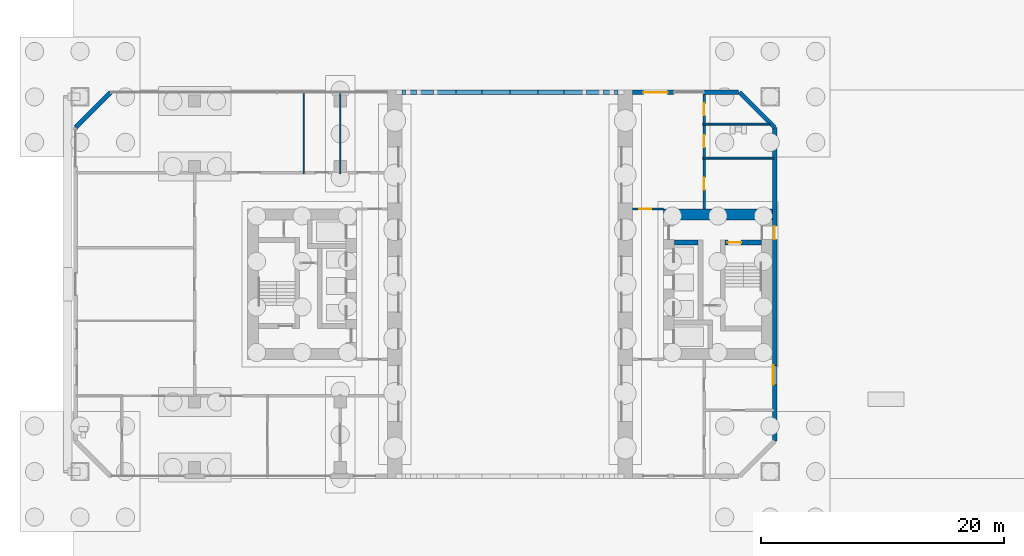
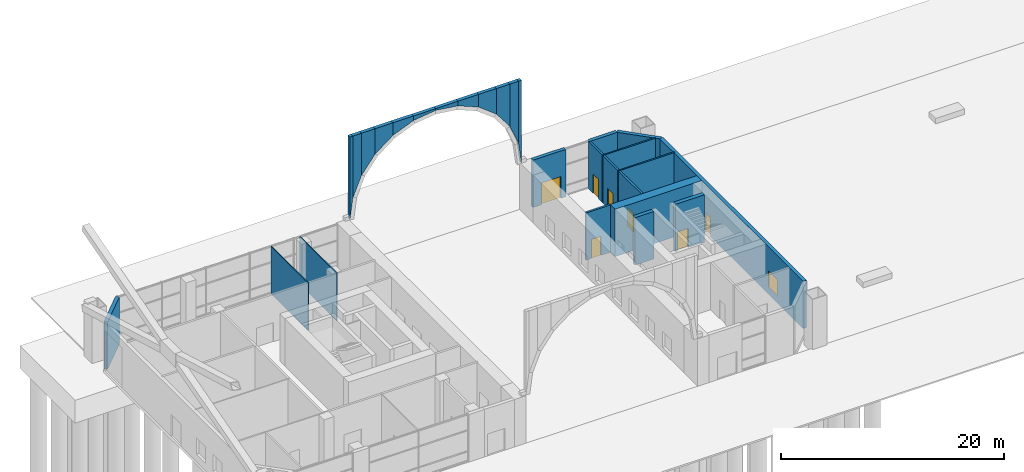
# One storey, part 16 of 26: 26 walls, 7 doors, 1 window, 8 openings.
"""IFC4 building model written with IfcOpenShell, lengths in metres."""

from ifc_helpers import new_model, si_unit, direction, frame, frame_2d, origin, place, context, subcontext, project, spatial, polyline, rectangle, outline, extrude, material, layer, layer_set, type_object, element, fill, save


model = new_model("IFC4")

# Units and contexts
model_context = context("Model", 3, precision=1e-05, world=origin(), true_north=direction((0.0, 1.0)))
body_context = subcontext(model_context, "Body", "Model", "MODEL_VIEW")
ifc_project = project(units=[si_unit("LENGTHUNIT", "METRE"), si_unit("AREAUNIT", "SQUARE_METRE"), si_unit("VOLUMEUNIT", "CUBIC_METRE"), si_unit("PLANEANGLEUNIT", "RADIAN"), si_unit("MASSUNIT", "GRAM", prefix="KILO")], contexts=[model_context])

# Site, building, storey
site_placement = place(None, origin())
site = spatial("IfcSite", under=ifc_project, at=site_placement, CompositionType="ELEMENT")
building_placement = place(site_placement, origin())
building = spatial("IfcBuilding", under=site, at=building_placement, Name="Tuart Gate Housing", CompositionType="ELEMENT")
storey_placement = place(building_placement, origin())
storey = spatial("IfcBuildingStorey", under=building, at=storey_placement, Name="L00", CompositionType="ELEMENT", Elevation=0.0)

# Walls
ifc_material_1 = material(Name="Gypsum board on steel studs", Category="steel")
ifc_layer_1 = layer(ifc_material_1, 0.14990234375)
ifc_layer_set_1 = layer_set([ifc_layer_1], Name="Bathroom wall 150")
wall_type_1 = type_object("IfcWallType", Name="Bathroom wall 150", PredefinedType="PLUMBINGWALL", material=ifc_layer_set_1)
wall_1_placement = place(storey_placement, frame((69.89990234375, 80.39990234375, 0.0), z_axis=(0.0, 0.0, 1.0), x_axis=(1.0, 0.0, 0.0)))
element("IfcWall", 1, at=wall_1_placement, inside=storey, type_object=wall_type_1, Name="Bathroom wall 150", PredefinedType="PLUMBINGWALL", context=body_context, shape_type="SweptSolid", body=[
    extrude(rectangle(XDim=5.860107421875, YDim=0.14990234375, at=frame_2d((2.93017578125, 0.0))), origin(), (0.0, 0.0, 1.0), 5.199951171875),
])
wall_2_placement = place(storey_placement, frame((69.89990234375, 83.199951171875, 0.0), z_axis=(0.0, 0.0, 1.0), x_axis=(1.0, 0.0, 0.0)))
element("IfcWall", 2, at=wall_2_placement, inside=storey, type_object=wall_type_1, Name="Bathroom wall 150", PredefinedType="PLUMBINGWALL", context=body_context, shape_type="SweptSolid", body=[
    extrude(rectangle(XDim=5.510986328125, YDim=0.14990234375, at=frame_2d((2.75537109375, 0.0))), origin(), (0.0, 0.0, 1.0), 5.199951171875),
])

# Wall, openings, door, window
ifc_material_2 = material(Name="Brick", Category="masonry")
ifc_layer_2 = layer(ifc_material_2, 0.360107421875)
ifc_layer_set_2 = layer_set([ifc_layer_2], Name="Brick pier and spandrel wall 360")
wall_type_2 = type_object("IfcWallType", Name="Brick pier and spandrel wall 360", PredefinedType="STANDARD", material=ifc_layer_set_2)
wall_3_placement = place(storey_placement, frame((75.820068359375, 57.07470703125, 0.0), z_axis=(0.0, 0.0, 1.0), x_axis=(0.0, 1.0, 0.0)))
wall_3 = element("IfcWall", 3, at=wall_3_placement, inside=storey, type_object=wall_type_2, Name="External wall A-E L00", PredefinedType="STANDARD", context=body_context, shape_type="SweptSolid", body=[
    extrude(rectangle(XDim=25.850830078125, YDim=0.360107421875, at=frame_2d((12.92529296875, 0.0))), origin(), (0.0, 0.0, 1.0), 5.199951171875),
])
opening_1_placement = place(wall_3_placement, frame((4.62548828125, 0.0, 0.800048828125)))
opening_1 = element("IfcOpeningElement", 4, at=opening_1_placement, cuts=wall_3, Name="Opening W1", PredefinedType="OPENING", context=body_context, shape_type="SweptSolid", body=[
    extrude(rectangle(XDim=1.60009765625, YDim=1.800048828125, at=frame_2d((0.800048828125, 0.89990234375))), frame((0.0, 0.18994140625, 0.0), z_axis=(0.0, -1.0, 0.0), x_axis=(1.0, 0.0, 0.0)), (0.0, 0.0, 1.0), 0.380126953125),
])
opening_2_placement = place(wall_3_placement, frame((16.62548828125, 0.0, 0.0)))
opening_2 = element("IfcOpeningElement", 5, at=opening_2_placement, cuts=wall_3, Name="Opening D2731", PredefinedType="OPENING", context=body_context, shape_type="SweptSolid", body=[
    extrude(rectangle(XDim=1.10009765625, YDim=2.10009765625, at=frame_2d((0.550048828125, 1.050048828125))), frame((0.0, 0.18994140625, 0.0), z_axis=(0.0, -1.0, 0.0), x_axis=(1.0, 0.0, 0.0)), (0.0, 0.0, 1.0), 0.380126953125),
])
ifc_material_3 = material(Name="Aluminium framed glazed door", Category="aluminium")
door_type_1 = type_object("IfcDoorType", Name="Exit door 1100 x 2100 RH", OperationType="SINGLE_SWING_RIGHT", PredefinedType="DOOR", material=ifc_material_3)
door_1_placement = place(opening_2_placement, frame((1.10009765625, 0.0, 0.0), z_axis=(0.0, 0.0, 1.0), x_axis=(-1.0, 0.0, 0.0)))
door_1 = element("IfcDoor", 6, at=door_1_placement, inside=storey, type_object=door_type_1, Name="Stair exit onto the gate plaza door", OperationType="SINGLE_SWING_RIGHT", OverallHeight=2.10009765625, OverallWidth=1.10009765625, PredefinedType="DOOR", context=body_context, shape_type="SweptSolid", body=[
    extrude(rectangle(XDim=1.10009765625, YDim=2.10009765625, at=frame_2d((0.550048828125, 1.050048828125))), frame((0.0, 0.025146484375, 0.0), z_axis=(0.0, -1.0, 0.0), x_axis=(1.0, 0.0, 0.0)), (0.0, 0.0, 1.0), 0.050048828125),
])
fill(opening_2, door_1)
ifc_material_4 = material(Name="Aluminium frame with clear glass", Category="aluminium")
window_type = type_object("IfcWindowType", Name="Punched window 1600 x 1800", PartitioningType="SINGLE_PANEL", PredefinedType="WINDOW", material=ifc_material_4)
window_placement = place(opening_1_placement, origin())
window = element("IfcWindow", 7, at=window_placement, inside=storey, type_object=window_type, Name="Window W1", OverallHeight=1.800048828125, OverallWidth=1.60009765625, PartitioningType="SINGLE_PANEL", PredefinedType="WINDOW", context=body_context, shape_type="SweptSolid", body=[
    extrude(rectangle(XDim=1.60009765625, YDim=1.800048828125, at=frame_2d((0.800048828125, 0.89990234375))), frame((0.0, 0.150146484375, 0.0), z_axis=(0.0, -1.0, 0.0), x_axis=(1.0, 0.0, 0.0)), (0.0, 0.0, 1.0), 0.06005859375),
])
fill(opening_1, window)

# Walls
wall_4_placement = place(storey_placement, frame((75.820068359375, 82.92529296875, 0.0), z_axis=(0.0, 0.0, 1.0), x_axis=(-0.707106781187, 0.707106781187, 0.0)))
element("IfcWall", 8, at=wall_4_placement, inside=storey, type_object=wall_type_2, Name="External wall A-NE L00", PredefinedType="STANDARD", context=body_context, shape_type="SweptSolid", body=[
    extrude(rectangle(XDim=4.09375, YDim=0.360107421875, at=frame_2d((2.046875, 0.0))), origin(), (0.0, 0.0, 1.0), 5.199951171875),
])
wall_5_placement = place(storey_placement, frame((72.85009765625, 85.820068359375, 0.0), z_axis=(0.0, 0.0, 1.0), x_axis=(-1.0, 0.0, 0.0)))
element("IfcWall", 9, at=wall_5_placement, inside=storey, type_object=wall_type_2, Name="External wall A-N L00", PredefinedType="STANDARD", context=body_context, shape_type="SweptSolid", body=[
    extrude(rectangle(XDim=2.85009765625, YDim=0.360107421875, at=frame_2d((1.425048828125, 0.0))), origin(), (0.0, 0.0, 1.0), 5.199951171875),
])

# Wall, opening, door
wall_6_placement = place(storey_placement, frame((67.5, 85.820068359375, 0.0), z_axis=(0.0, 0.0, 1.0), x_axis=(-1.0, 0.0, 0.0)))
wall_6 = element("IfcWall", 10, at=wall_6_placement, inside=storey, type_object=wall_type_2, Name="External wall A-N L00", PredefinedType="STANDARD", context=body_context, shape_type="SweptSolid", body=[
    extrude(rectangle(XDim=3.39990234375, YDim=0.360107421875, at=frame_2d((1.699951171875, 0.0))), origin(), (0.0, 0.0, 1.0), 5.199951171875),
])
opening_3_placement = place(wall_6_placement, frame((0.5, 0.0, 0.0)))
opening_3 = element("IfcOpeningElement", 11, at=opening_3_placement, cuts=wall_6, Name="Opening D2713", PredefinedType="OPENING", context=body_context, shape_type="SweptSolid", body=[
    extrude(rectangle(XDim=2.0, YDim=2.39990234375, at=frame_2d((1.0, 1.199951171875))), frame((0.0, 0.18994140625, 0.0), z_axis=(0.0, -1.0, 0.0), x_axis=(1.0, 0.0, 0.0)), (0.0, 0.0, 1.0), 0.380126953125),
])
ifc_material_5 = material(Name="Aluminium framed glazed door", Category="aluminium")
door_type_2 = type_object("IfcDoorType", Name="Sliding entrance door 2000 x 2400", OperationType="DOUBLE_DOOR_SLIDING", PredefinedType="DOOR", material=ifc_material_5)
door_2_placement = place(opening_3_placement, frame((2.0, 0.0, 0.0), z_axis=(0.0, 0.0, 1.0), x_axis=(-1.0, 0.0, 0.0)))
door_2 = element("IfcDoor", 12, at=door_2_placement, inside=storey, type_object=door_type_2, Name="Leg A residents' lobby sliding door", OperationType="DOUBLE_DOOR_SLIDING", OverallHeight=2.39990234375, OverallWidth=2.0, PredefinedType="DOOR", context=body_context, shape_type="SweptSolid", body=[
    extrude(rectangle(XDim=2.0, YDim=2.39990234375, at=frame_2d((1.0, 1.199951171875))), frame((0.0, 0.025146484375, 0.0), z_axis=(0.0, -1.0, 0.0), x_axis=(1.0, 0.0, 0.0)), (0.0, 0.0, 1.0), 0.050048828125),
])
fill(opening_3, door_2)

# Walls
wall_7_placement = place(storey_placement, frame((21.07470703125, 85.820068359375, 0.0), z_axis=(0.0, 0.0, 1.0), x_axis=(-0.707106781187, -0.707106781187, 0.0)))
element("IfcWall", 13, at=wall_7_placement, inside=storey, type_object=wall_type_2, Name="External wall A-NW L00", PredefinedType="STANDARD", context=body_context, shape_type="SweptSolid", body=[
    extrude(rectangle(XDim=4.09375, YDim=0.360107421875, at=frame_2d((2.046875, 0.0))), origin(), (0.0, 0.0, 1.0), 5.199951171875),
])
wall_8_placement = place(storey_placement, frame((45.4033203125, 85.820068359375, 5.300048828125), z_axis=(0.0, 0.0, 1.0), x_axis=(-1.0, 0.0, 0.0)))
element("IfcWall", 14, at=wall_8_placement, inside=storey, type_object=wall_type_2, Name="Arch spandrel A-N", PredefinedType="STANDARD", context=body_context, shape_type="SweptSolid", body=[
    extrude(outline(polyline([(0.0, 2.303466796875), (0.30322265625, 0.0), (0.30322265625, 9.099853515625), (0.0, 9.099853515625), (0.0, 2.303466796875)])), frame((0.0, 0.18017578125, 0.0), z_axis=(0.0, -1.0, 0.0), x_axis=(1.0, 0.0, 0.0)), (0.0, 0.0, 1.0), 0.360107421875),
])
wall_9_placement = place(storey_placement, frame((46.29248046875, 85.820068359375, 7.603515625), z_axis=(0.0, 0.0, 1.0), x_axis=(-1.0, 0.0, 0.0)))
element("IfcWall", 15, at=wall_9_placement, inside=storey, type_object=wall_type_2, Name="Arch spandrel A-N", PredefinedType="STANDARD", context=body_context, shape_type="SweptSolid", body=[
    extrude(outline(polyline([(0.0, 2.146484375), (0.88916015625, 0.0), (0.88916015625, 6.79638671875), (0.0, 6.79638671875), (0.0, 2.146484375)])), frame((0.0, 0.18017578125, 0.0), z_axis=(0.0, -1.0, 0.0), x_axis=(1.0, 0.0, 0.0)), (0.0, 0.0, 1.0), 0.360107421875),
])
wall_10_placement = place(storey_placement, frame((47.706787109375, 85.820068359375, 9.75), z_axis=(0.0, 0.0, 1.0), x_axis=(-1.0, 0.0, 0.0)))
element("IfcWall", 16, at=wall_10_placement, inside=storey, type_object=wall_type_2, Name="Arch spandrel A-N", PredefinedType="STANDARD", context=body_context, shape_type="SweptSolid", body=[
    extrude(outline(polyline([(0.0, 1.84326171875), (1.414306640625, 0.0), (1.414306640625, 4.64990234375), (0.0, 4.64990234375), (0.0, 1.84326171875)])), frame((0.0, 0.18017578125, 0.0), z_axis=(0.0, -1.0, 0.0), x_axis=(1.0, 0.0, 0.0)), (0.0, 0.0, 1.0), 0.360107421875),
])
wall_11_placement = place(storey_placement, frame((49.550048828125, 85.820068359375, 11.59326171875), z_axis=(0.0, 0.0, 1.0), x_axis=(-1.0, 0.0, 0.0)))
element("IfcWall", 17, at=wall_11_placement, inside=storey, type_object=wall_type_2, Name="Arch spandrel A-N", PredefinedType="STANDARD", context=body_context, shape_type="SweptSolid", body=[
    extrude(outline(polyline([(0.0, 1.414306640625), (1.84326171875, 0.0), (1.84326171875, 2.806640625), (0.0, 2.806640625), (0.0, 1.414306640625)])), frame((0.0, 0.18017578125, 0.0), z_axis=(0.0, -1.0, 0.0), x_axis=(1.0, 0.0, 0.0)), (0.0, 0.0, 1.0), 0.360107421875),
])
wall_12_placement = place(storey_placement, frame((51.696533203125, 85.820068359375, 13.007568359375), z_axis=(0.0, 0.0, 1.0), x_axis=(-1.0, 0.0, 0.0)))
element("IfcWall", 18, at=wall_12_placement, inside=storey, type_object=wall_type_2, Name="Arch spandrel A-N", PredefinedType="STANDARD", context=body_context, shape_type="SweptSolid", body=[
    extrude(outline(polyline([(0.0, 0.88916015625), (2.146484375, 0.0), (2.146484375, 1.392333984375), (0.0, 1.392333984375), (0.0, 0.88916015625)])), frame((0.0, 0.18017578125, 0.0), z_axis=(0.0, -1.0, 0.0), x_axis=(1.0, 0.0, 0.0)), (0.0, 0.0, 1.0), 0.360107421875),
])
wall_13_placement = place(storey_placement, frame((54.0, 85.820068359375, 13.896728515625), z_axis=(0.0, 0.0, 1.0), x_axis=(-1.0, 0.0, 0.0)))
element("IfcWall", 19, at=wall_13_placement, inside=storey, type_object=wall_type_2, Name="Arch spandrel A-N", PredefinedType="STANDARD", context=body_context, shape_type="SweptSolid", body=[
    extrude(outline(polyline([(0.0, 0.30322265625), (2.303466796875, 0.0), (2.303466796875, 0.503173828125), (0.0, 0.503173828125), (0.0, 0.30322265625)])), frame((0.0, 0.18017578125, 0.0), z_axis=(0.0, -1.0, 0.0), x_axis=(1.0, 0.0, 0.0)), (0.0, 0.0, 1.0), 0.360107421875),
])
wall_14_placement = place(storey_placement, frame((56.303466796875, 85.820068359375, 13.896728515625), z_axis=(0.0, 0.0, 1.0), x_axis=(-1.0, 0.0, 0.0)))
element("IfcWall", 20, at=wall_14_placement, inside=storey, type_object=wall_type_2, Name="Arch spandrel A-N", PredefinedType="STANDARD", context=body_context, shape_type="SweptSolid", body=[
    extrude(outline(polyline([(0.0, 0.0), (2.303466796875, 0.30322265625), (2.303466796875, 0.503173828125), (0.0, 0.503173828125), (0.0, 0.0)])), frame((0.0, 0.18017578125, 0.0), z_axis=(0.0, -1.0, 0.0), x_axis=(1.0, 0.0, 0.0)), (0.0, 0.0, 1.0), 0.360107421875),
])
wall_15_placement = place(storey_placement, frame((58.449951171875, 85.820068359375, 13.007568359375), z_axis=(0.0, 0.0, 1.0), x_axis=(-1.0, 0.0, 0.0)))
element("IfcWall", 21, at=wall_15_placement, inside=storey, type_object=wall_type_2, Name="Arch spandrel A-N", PredefinedType="STANDARD", context=body_context, shape_type="SweptSolid", body=[
    extrude(outline(polyline([(0.0, 0.0), (2.146484375, 0.88916015625), (2.146484375, 1.392333984375), (0.0, 1.392333984375), (0.0, 0.0)])), frame((0.0, 0.18017578125, 0.0), z_axis=(0.0, -1.0, 0.0), x_axis=(1.0, 0.0, 0.0)), (0.0, 0.0, 1.0), 0.360107421875),
])
wall_16_placement = place(storey_placement, frame((60.293212890625, 85.820068359375, 11.59326171875), z_axis=(0.0, 0.0, 1.0), x_axis=(-1.0, 0.0, 0.0)))
element("IfcWall", 22, at=wall_16_placement, inside=storey, type_object=wall_type_2, Name="Arch spandrel A-N", PredefinedType="STANDARD", context=body_context, shape_type="SweptSolid", body=[
    extrude(outline(polyline([(0.0, 0.0), (1.84326171875, 1.414306640625), (1.84326171875, 2.806640625), (0.0, 2.806640625), (0.0, 0.0)])), frame((0.0, 0.18017578125, 0.0), z_axis=(0.0, -1.0, 0.0), x_axis=(1.0, 0.0, 0.0)), (0.0, 0.0, 1.0), 0.360107421875),
])
wall_17_placement = place(storey_placement, frame((61.70751953125, 85.820068359375, 9.75), z_axis=(0.0, 0.0, 1.0), x_axis=(-1.0, 0.0, 0.0)))
element("IfcWall", 23, at=wall_17_placement, inside=storey, type_object=wall_type_2, Name="Arch spandrel A-N", PredefinedType="STANDARD", context=body_context, shape_type="SweptSolid", body=[
    extrude(outline(polyline([(0.0, 0.0), (1.414306640625, 1.84326171875), (1.414306640625, 4.64990234375), (0.0, 4.64990234375), (0.0, 0.0)])), frame((0.0, 0.18017578125, 0.0), z_axis=(0.0, -1.0, 0.0), x_axis=(1.0, 0.0, 0.0)), (0.0, 0.0, 1.0), 0.360107421875),
])
wall_18_placement = place(storey_placement, frame((62.5966796875, 85.820068359375, 7.603515625), z_axis=(0.0, 0.0, 1.0), x_axis=(-1.0, 0.0, 0.0)))
element("IfcWall", 24, at=wall_18_placement, inside=storey, type_object=wall_type_2, Name="Arch spandrel A-N", PredefinedType="STANDARD", context=body_context, shape_type="SweptSolid", body=[
    extrude(outline(polyline([(0.0, 0.0), (0.88916015625, 2.146484375), (0.88916015625, 6.79638671875), (0.0, 6.79638671875), (0.0, 0.0)])), frame((0.0, 0.18017578125, 0.0), z_axis=(0.0, -1.0, 0.0), x_axis=(1.0, 0.0, 0.0)), (0.0, 0.0, 1.0), 0.360107421875),
])
wall_19_placement = place(storey_placement, frame((62.89990234375, 85.820068359375, 5.300048828125), z_axis=(0.0, 0.0, 1.0), x_axis=(-1.0, 0.0, 0.0)))
element("IfcWall", 25, at=wall_19_placement, inside=storey, type_object=wall_type_2, Name="Arch spandrel A-N", PredefinedType="STANDARD", context=body_context, shape_type="SweptSolid", body=[
    extrude(outline(polyline([(0.0, 0.0), (0.30322265625, 2.303466796875), (0.30322265625, 9.099853515625), (0.0, 9.099853515625), (0.0, 0.0)])), frame((0.0, 0.18017578125, 0.0), z_axis=(0.0, -1.0, 0.0), x_axis=(1.0, 0.0, 0.0)), (0.0, 0.0, 1.0), 0.360107421875),
])
ifc_material_6 = material(Name="Concrete C60", Category="concrete")
ifc_layer_3 = layer(ifc_material_6, 0.39990234375)
ifc_layer_set_3 = layer_set([ifc_layer_3], Name="Core wall 400 C60")
wall_type_3 = type_object("IfcWallType", Name="Core wall 400 C60", PredefinedType="SHEAR", material=ifc_layer_set_3)
wall_20_placement = place(storey_placement, frame((67.5400390625, 73.449951171875, 0.0), z_axis=(0.0, 0.0, 1.0), x_axis=(1.0, 0.0, 0.0)))
element("IfcWall", 26, at=wall_20_placement, inside=storey, type_object=wall_type_3, Name="Core wall AG.4", PredefinedType="SHEAR", context=body_context, shape_type="SweptSolid", body=[
    extrude(rectangle(XDim=1.949951171875, YDim=0.39990234375, at=frame_2d((0.97509765625, 0.0))), origin(), (0.0, 0.0, 1.0), 5.199951171875),
])

# Wall, opening, door
wall_21_placement = place(storey_placement, frame((71.739990234375, 73.449951171875, 0.0), z_axis=(0.0, 0.0, 1.0), x_axis=(1.0, 0.0, 0.0)))
wall_21 = element("IfcWall", 27, at=wall_21_placement, inside=storey, type_object=wall_type_3, Name="Core wall AG.5", PredefinedType="SHEAR", context=body_context, shape_type="SweptSolid", body=[
    extrude(rectangle(XDim=3.0, YDim=0.39990234375, at=frame_2d((1.5, 0.0))), origin(), (0.0, 0.0, 1.0), 5.199951171875),
])
opening_4_placement = place(wall_21_placement, frame((0.219970703125, 0.0, 0.0)))
opening_4 = element("IfcOpeningElement", 28, at=opening_4_placement, cuts=wall_21, Name="Opening D2724", PredefinedType="OPENING", context=body_context, shape_type="SweptSolid", body=[
    extrude(rectangle(XDim=1.10009765625, YDim=2.10009765625, at=frame_2d((0.550048828125, 1.050048828125))), frame((0.0, 0.2099609375, 0.0), z_axis=(0.0, -1.0, 0.0), x_axis=(1.0, 0.0, 0.0)), (0.0, 0.0, 1.0), 0.419921875),
])
ifc_material_7 = material(Name="Steel fire door", Category="steel")
door_type_3 = type_object("IfcDoorType", Name="Stair door 1100 x 2100 RH", OperationType="SINGLE_SWING_RIGHT", PredefinedType="DOOR", material=ifc_material_7)
door_3_placement = place(opening_4_placement, frame((1.10009765625, 0.0, 0.0), z_axis=(0.0, 0.0, 1.0), x_axis=(-1.0, 0.0, 0.0)))
door_3 = element("IfcDoor", 29, at=door_3_placement, inside=storey, type_object=door_type_3, Name="Stair door AG.SD", OperationType="SINGLE_SWING_RIGHT", OverallHeight=2.10009765625, OverallWidth=1.10009765625, PredefinedType="DOOR", context=body_context, shape_type="SweptSolid", body=[
    extrude(rectangle(XDim=1.10009765625, YDim=2.10009765625, at=frame_2d((0.550048828125, 1.050048828125))), frame((0.0, 0.025146484375, 0.0), z_axis=(0.0, -1.0, 0.0), x_axis=(1.0, 0.0, 0.0)), (0.0, 0.0, 1.0), 0.050048828125),
])
fill(opening_4, door_3)

# Wall
ifc_material_8 = material(Name="Concrete C60", Category="concrete")
ifc_layer_4 = layer(ifc_material_8, 0.89990234375)
ifc_layer_set_4 = layer_set([ifc_layer_4], Name="Core wall 900 C60")
wall_type_4 = type_object("IfcWallType", Name="Core wall 900 C60", PredefinedType="SHEAR", material=ifc_layer_set_4)
wall_22_placement = place(storey_placement, frame((66.639892578125, 75.75, 0.0), z_axis=(0.0, 0.0, 1.0), x_axis=(1.0, 0.0, 0.0)))
element("IfcWall", 30, at=wall_22_placement, inside=storey, type_object=wall_type_4, Name="Core wall AG north", PredefinedType="SHEAR", context=body_context, shape_type="SweptSolid", body=[
    extrude(rectangle(XDim=9.0, YDim=0.89990234375, at=frame_2d((4.5, 0.0))), origin(), (0.0, 0.0, 1.0), 5.199951171875),
])

# Wall, openings, doors
ifc_material_9 = material(Name="Concrete masonry 15 MPa", Category="masonry")
ifc_layer_5 = layer(ifc_material_9, 0.199951171875)
ifc_layer_set_5 = layer_set([ifc_layer_5], Name="Corridor wall masonry 200")
wall_type_5 = type_object("IfcWallType", Name="Corridor wall masonry 200", PredefinedType="PARTITIONING", material=ifc_layer_set_5)
wall_23_placement = place(storey_placement, frame((70.0, 76.199951171875, 0.0), z_axis=(0.0, 0.0, 1.0), x_axis=(0.0, 1.0, 0.0)))
wall_23 = element("IfcWall", 31, at=wall_23_placement, inside=storey, type_object=wall_type_5, Name="Corridor wall masonry 200", PredefinedType="PARTITIONING", context=body_context, shape_type="SweptSolid", body=[
    extrude(rectangle(XDim=9.56005859375, YDim=0.199951171875, at=frame_2d((4.780029296875, 0.0))), origin(), (0.0, 0.0, 1.0), 5.199951171875),
])
opening_5_placement = place(wall_23_placement, frame((1.60009765625, 0.0, 0.0)))
opening_5 = element("IfcOpeningElement", 32, at=opening_5_placement, cuts=wall_23, Name="Opening D2714", PredefinedType="OPENING", context=body_context, shape_type="SweptSolid", body=[
    extrude(rectangle(XDim=1.0, YDim=2.10009765625, at=frame_2d((0.5, 1.050048828125))), frame((0.0, 0.10986328125, 0.0), z_axis=(0.0, -1.0, 0.0), x_axis=(1.0, 0.0, 0.0)), (0.0, 0.0, 1.0), 0.219970703125),
])
opening_6_placement = place(wall_23_placement, frame((5.10009765625, 0.0, 0.0)))
opening_6 = element("IfcOpeningElement", 33, at=opening_6_placement, cuts=wall_23, Name="Opening D2715", PredefinedType="OPENING", context=body_context, shape_type="SweptSolid", body=[
    extrude(rectangle(XDim=1.0, YDim=2.10009765625, at=frame_2d((0.5, 1.050048828125))), frame((0.0, 0.10986328125, 0.0), z_axis=(0.0, -1.0, 0.0), x_axis=(1.0, 0.0, 0.0)), (0.0, 0.0, 1.0), 0.219970703125),
])
opening_7_placement = place(wall_23_placement, frame((7.719970703125, 0.0, 0.0)))
opening_7 = element("IfcOpeningElement", 34, at=opening_7_placement, cuts=wall_23, Name="Opening D2716", PredefinedType="OPENING", context=body_context, shape_type="SweptSolid", body=[
    extrude(rectangle(XDim=1.0, YDim=2.10009765625, at=frame_2d((0.5, 1.050048828125))), frame((0.0, 0.10986328125, 0.0), z_axis=(0.0, -1.0, 0.0), x_axis=(1.0, 0.0, 0.0)), (0.0, 0.0, 1.0), 0.219970703125),
])
ifc_material_10 = material(Name="Timber door leaf in steel frame", Category="steel")
door_type_4 = type_object("IfcDoorType", Name="Fire door 1000 RH", OperationType="SINGLE_SWING_RIGHT", PredefinedType="DOOR", material=ifc_material_10)
door_4_placement = place(opening_5_placement, frame((1.0, 0.0, 0.0), z_axis=(0.0, 0.0, 1.0), x_axis=(-1.0, 0.0, 0.0)))
door_4 = element("IfcDoor", 35, at=door_4_placement, inside=storey, type_object=door_type_4, Name="Fire door 1000", OperationType="SINGLE_SWING_RIGHT", OverallHeight=2.10009765625, OverallWidth=1.0, PredefinedType="DOOR", context=body_context, shape_type="SweptSolid", body=[
    extrude(rectangle(XDim=1.0, YDim=2.10009765625, at=frame_2d((0.5, 1.050048828125))), frame((0.0, 0.025146484375, 0.0), z_axis=(0.0, -1.0, 0.0), x_axis=(1.0, 0.0, 0.0)), (0.0, 0.0, 1.0), 0.050048828125),
])
fill(opening_5, door_4)
door_5_placement = place(opening_6_placement, frame((1.0, 0.0, 0.0), z_axis=(0.0, 0.0, 1.0), x_axis=(-1.0, 0.0, 0.0)))
door_5 = element("IfcDoor", 36, at=door_5_placement, inside=storey, type_object=door_type_4, Name="Fire door 1000", OperationType="SINGLE_SWING_RIGHT", OverallHeight=2.10009765625, OverallWidth=1.0, PredefinedType="DOOR", context=body_context, shape_type="SweptSolid", body=[
    extrude(rectangle(XDim=1.0, YDim=2.10009765625, at=frame_2d((0.5, 1.050048828125))), frame((0.0, 0.025146484375, 0.0), z_axis=(0.0, -1.0, 0.0), x_axis=(1.0, 0.0, 0.0)), (0.0, 0.0, 1.0), 0.050048828125),
])
fill(opening_6, door_5)
door_6_placement = place(opening_7_placement, frame((1.0, 0.0, 0.0), z_axis=(0.0, 0.0, 1.0), x_axis=(-1.0, 0.0, 0.0)))
door_6 = element("IfcDoor", 37, at=door_6_placement, inside=storey, type_object=door_type_4, Name="Fire door 1000", OperationType="SINGLE_SWING_RIGHT", OverallHeight=2.10009765625, OverallWidth=1.0, PredefinedType="DOOR", context=body_context, shape_type="SweptSolid", body=[
    extrude(rectangle(XDim=1.0, YDim=2.10009765625, at=frame_2d((0.5, 1.050048828125))), frame((0.0, 0.025146484375, 0.0), z_axis=(0.0, -1.0, 0.0), x_axis=(1.0, 0.0, 0.0)), (0.0, 0.0, 1.0), 0.050048828125),
])
fill(opening_7, door_6)

# Wall, opening, door
ifc_material_11 = material(Name="Concrete masonry 15 MPa", Category="masonry")
ifc_layer_6 = layer(ifc_material_11, 0.199951171875)
ifc_layer_set_6 = layer_set([ifc_layer_6], Name="Enclosure wall masonry 200")
wall_type_6 = type_object("IfcWallType", Name="Enclosure wall masonry 200", PredefinedType="PARTITIONING", material=ifc_layer_set_6)
wall_24_placement = place(storey_placement, frame((64.10009765625, 76.199951171875, 0.0), z_axis=(0.0, 0.0, 1.0), x_axis=(1.0, 0.0, 0.0)))
wall_24 = element("IfcWall", 38, at=wall_24_placement, inside=storey, type_object=wall_type_6, Name="Enclosure wall masonry 200", PredefinedType="PARTITIONING", context=body_context, shape_type="SweptSolid", body=[
    extrude(rectangle(XDim=2.539794921875, YDim=0.199951171875, at=frame_2d((1.27001953125, 0.0))), origin(), (0.0, 0.0, 1.0), 5.199951171875),
])
opening_8_placement = place(wall_24_placement, frame((0.5400390625, 0.0, 0.0)))
opening_8 = element("IfcOpeningElement", 39, at=opening_8_placement, cuts=wall_24, Name="Opening D2721", PredefinedType="OPENING", context=body_context, shape_type="SweptSolid", body=[
    extrude(rectangle(XDim=1.0, YDim=2.10009765625, at=frame_2d((0.5, 1.050048828125))), frame((0.0, 0.10986328125, 0.0), z_axis=(0.0, -1.0, 0.0), x_axis=(1.0, 0.0, 0.0)), (0.0, 0.0, 1.0), 0.219970703125),
])
ifc_material_12 = material(Name="Timber door leaf in steel frame", Category="steel")
door_type_5 = type_object("IfcDoorType", Name="Lobby door 1000 RH", OperationType="SINGLE_SWING_RIGHT", PredefinedType="DOOR", material=ifc_material_12)
door_7_placement = place(opening_8_placement, frame((1.0, 0.0, 0.0), z_axis=(0.0, 0.0, 1.0), x_axis=(-1.0, 0.0, 0.0)))
door_7 = element("IfcDoor", 40, at=door_7_placement, inside=storey, type_object=door_type_5, Name="Lobby door 1000", OperationType="SINGLE_SWING_RIGHT", OverallHeight=2.10009765625, OverallWidth=1.0, PredefinedType="DOOR", context=body_context, shape_type="SweptSolid", body=[
    extrude(rectangle(XDim=1.0, YDim=2.10009765625, at=frame_2d((0.5, 1.050048828125))), frame((0.0, 0.025146484375, 0.0), z_axis=(0.0, -1.0, 0.0), x_axis=(1.0, 0.0, 0.0)), (0.0, 0.0, 1.0), 0.050048828125),
])
fill(opening_8, door_7)

# Walls
ifc_material_13 = material(Name="Gypsum board on steel studs", Category="steel")
ifc_layer_7 = layer(ifc_material_13, 0.10009765625)
ifc_layer_set_7 = layer_set([ifc_layer_7], Name="Partition 100")
wall_type_7 = type_object("IfcWallType", Name="Partition 100", PredefinedType="PARTITIONING", material=ifc_layer_set_7)
for number, where, z_axis, x_axis, name in (
    (41, (37.0, 79.10009765625, 0.0), (0.0, 0.0, 1.0), (0.0, 1.0, 0.0), "Partition 100"),
    (42, (40.0, 79.10009765625, 0.0), (0.0, 0.0, 1.0), (0.0, 1.0, 0.0), "Partition 100"),
):
    element("IfcWall", number, at=place(storey_placement, frame(where, z_axis=z_axis, x_axis=x_axis)), inside=storey, type_object=wall_type_7, Name=name, PredefinedType="PARTITIONING", context=body_context, shape_type="SweptSolid", body=[
        extrude(rectangle(XDim=6.659912109375, YDim=0.10009765625, at=frame_2d((3.330078125, 0.0))), origin(), (0.0, 0.0, 1.0), 5.199951171875),
    ])

save(model, "model.ifc")
